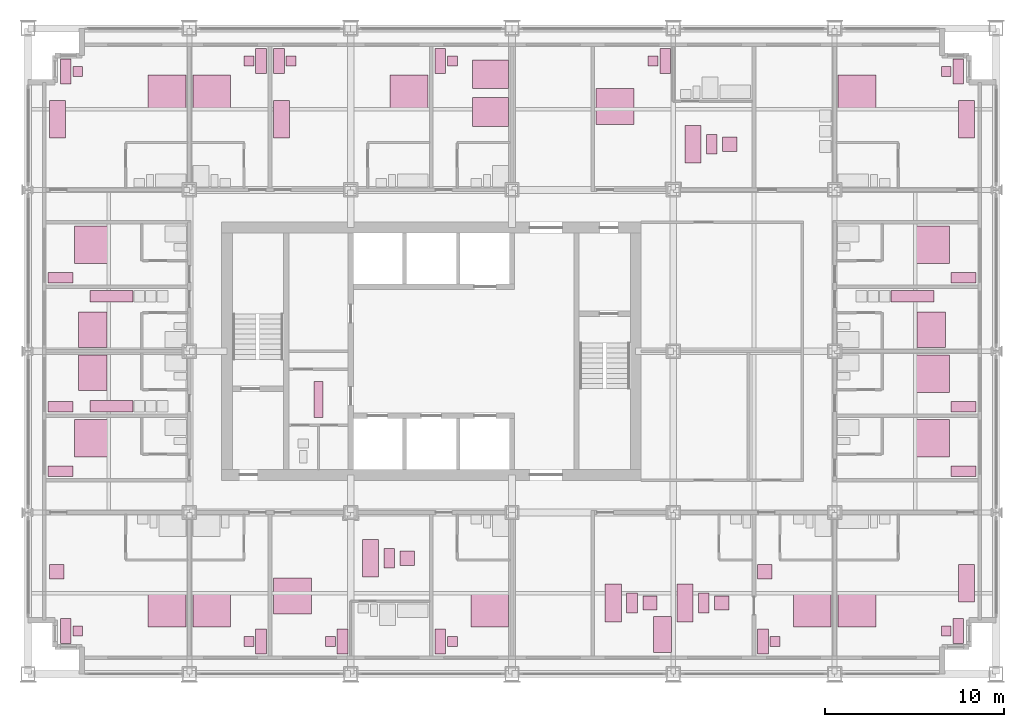
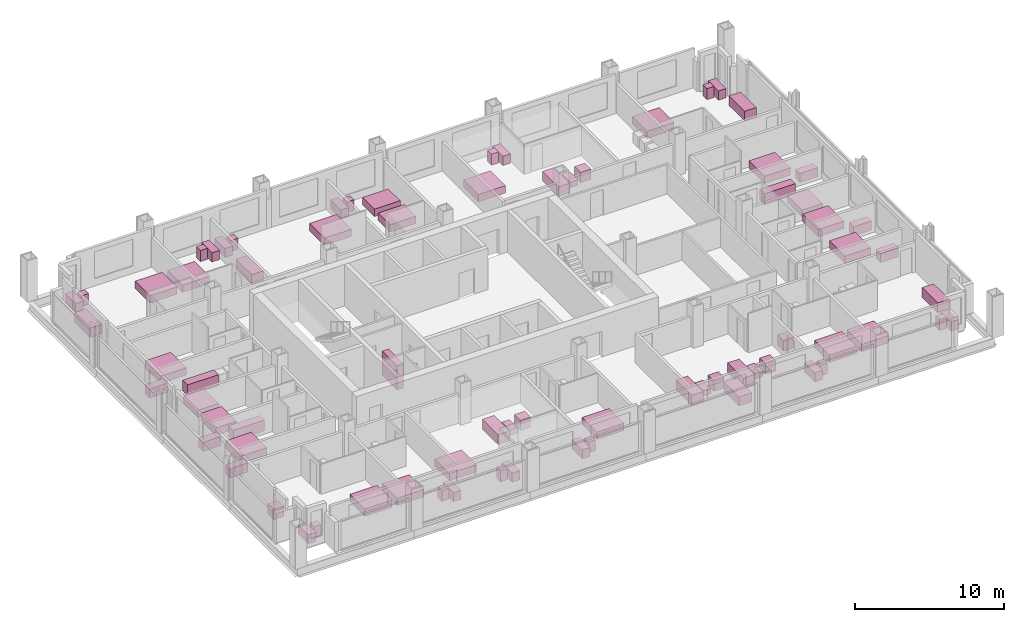
# One storey, part 18 of 18: 74 furniture elements.
"""IFC4 building model written with IfcOpenShell, lengths in metres."""

import ifcopenshell
import ifcopenshell.guid

model = None  # the IFC model being written
_history = None  # IfcOwnerHistory: only IFC2X3 demands one
_inside = {}  # id of a spatial element -> (the spatial element, [elements in it])
_under = {}  # id of a project, library or spatial element -> (it, [spatial elements below it])
_declared = {}  # id of a project -> (the project, [libraries it declares])
_typed = {}  # id of a type object -> (the type object, [elements of that type])
_made_of = {}  # id of a material, layer set ... -> (it, [elements and type objects made of it])


def new_model(schema):
    """Start an empty IFC model of exactly this schema.

    Asked for "IFC4X3", IfcOpenShell would pick the latest addendum, in which some entities
    have other attributes; the version numbers below select the first issue.
    IFC2X3 requires an IfcOwnerHistory on every rooted entity: one is made here for all.
    """
    global model, _history
    if schema == "IFC4X3":
        model = ifcopenshell.file(schema_version=(4, 3, 0, 0))
    else:
        model = ifcopenshell.file(schema=schema)
    _inside.clear()
    _under.clear()
    _declared.clear()
    _typed.clear()
    _made_of.clear()
    _history = None
    if model.schema == "IFC2X3":
        org = make("IfcOrganization", Name="unknown")
        user = make(
            "IfcPersonAndOrganization",
            ThePerson=make("IfcPerson", FamilyName="unknown"),
            TheOrganization=org,
        )
        app = make(
            "IfcApplication",
            ApplicationDeveloper=org,
            Version="unknown",
            ApplicationFullName="unknown",
            ApplicationIdentifier="unknown",
        )
        _history = make(
            "IfcOwnerHistory",
            OwningUser=user,
            OwningApplication=app,
            ChangeAction="ADDED",
            CreationDate=0,
        )
    return model


def make(cls, **values):
    """One entity of the class cls with the attributes given. An attribute that is None is left unset."""
    return model.create_entity(
        cls, **{name: value for name, value in values.items() if value is not None}
    )


def rooted(cls, **values):
    """An entity with a GlobalId (a new one), such as an element, a storey or a relation."""
    return make(cls, GlobalId=ifcopenshell.guid.new(), OwnerHistory=_history, **values)


def si_unit(unit_type, name, prefix=None):
    """IfcSIUnit, for example si_unit("LENGTHUNIT", "METRE", prefix="MILLI")."""
    return make("IfcSIUnit", UnitType=unit_type, Prefix=prefix, Name=name)


def assignment(units):
    """IfcUnitAssignment: the units of a project."""
    return None if units is None else make("IfcUnitAssignment", Units=units)


def point(xyz):
    """IfcCartesianPoint."""
    return None if xyz is None else make("IfcCartesianPoint", Coordinates=xyz)


def direction(xyz):
    """IfcDirection."""
    return None if xyz is None else make("IfcDirection", DirectionRatios=xyz)


def frame(location, z_axis=None, x_axis=None):
    """IfcAxis2Placement3D, a coordinate frame: its origin and axes. An axis left out is left unset."""
    return make(
        "IfcAxis2Placement3D",
        Location=point(location),
        Axis=direction(z_axis),
        RefDirection=direction(x_axis),
    )


def frame_2d(location, x_axis=None):
    """IfcAxis2Placement2D, a coordinate frame in the plane: its origin and x axis."""
    return make(
        "IfcAxis2Placement2D", Location=point(location), RefDirection=direction(x_axis)
    )


def origin():
    """The frame at (0, 0, 0) with its axes left unset."""
    return frame((0.0, 0.0, 0.0))


def origin_2d():
    """The frame at (0, 0) in the plane with its x axis left unset."""
    return frame_2d((0.0, 0.0))


def place(relative_to, where):
    """IfcLocalPlacement: puts the frame where relative to a parent placement (None: the world)."""
    return make(
        "IfcLocalPlacement", PlacementRelTo=relative_to, RelativePlacement=where
    )


def context(
    kind, dimensions, precision=None, world=None, true_north=None, identifier=None
):
    """IfcGeometricRepresentationContext, for example the 3D "Model" context."""
    return make(
        "IfcGeometricRepresentationContext",
        ContextIdentifier=identifier,
        ContextType=kind,
        CoordinateSpaceDimension=dimensions,
        Precision=precision,
        WorldCoordinateSystem=world,
        TrueNorth=true_north,
    )


def subcontext(parent, identifier, kind, view, scale=None):
    """IfcGeometricRepresentationSubContext, for example "Body" below "Model"."""
    return make(
        "IfcGeometricRepresentationSubContext",
        ContextIdentifier=identifier,
        ContextType=kind,
        ParentContext=parent,
        TargetScale=scale,
        TargetView=view,
    )


def project(units=None, contexts=None):
    """IfcProject with its units and contexts."""
    return rooted(
        "IfcProject",
        Name="project",
        RepresentationContexts=contexts,
        UnitsInContext=assignment(units),
    )


def spatial(cls, under=None, at=None, **own):
    """A site, building, storey or space (cls), placed at a placement, below another one or the project."""
    s = rooted(cls, ObjectPlacement=at, **own)
    if under is not None:
        _under.setdefault(under.id(), (under, []))[1].append(s)
    return s


def profile(cls, at=None, kind="AREA", **sizes):
    """A parametric profile (cls). Its sizes go by their IFC names, for example OverallWidth=200.0."""
    return make(cls, ProfileType=kind, Position=at, **sizes)


def rectangle(**sizes):
    """IfcRectangleProfileDef."""
    return profile("IfcRectangleProfileDef", **sizes)


def extrude(swept, where, along, depth):
    """IfcExtrudedAreaSolid: the profile swept, set in the frame where, extruded along a direction by depth."""
    return make(
        "IfcExtrudedAreaSolid",
        SweptArea=swept,
        Position=where,
        ExtrudedDirection=direction(along),
        Depth=depth,
    )


def shape(context_of_items, identifier, shape_type, items):
    """IfcShapeRepresentation: the items that make up one representation, for example the "Body"."""
    return make(
        "IfcShapeRepresentation",
        ContextOfItems=context_of_items,
        RepresentationIdentifier=identifier,
        RepresentationType=shape_type,
        Items=items,
    )


def made_of(thing, what):
    """Note that an element or type object is made of a material, layer set ...; save() writes the relation."""
    if what is not None:
        _made_of.setdefault(what.id(), (what, []))[1].append(thing)
    return thing


def element(
    cls,
    number,
    at=None,
    inside=None,
    cuts=None,
    type_object=None,
    material=None,
    context=None,
    identifier="Body",
    shape_type=None,
    held_by="IfcProductDefinitionShape",
    body=None,
    shapes=None,
    **own,
):
    """One element of the class cls, such as IfcWall. Its Tag is "e" and its number.

    at: its placement. inside: the storey or other place that contains it. cuts: it is an
    opening in that element (IfcRelVoidsElement). A single representation is given by context,
    identifier, shape_type and body (its items); several are given by shapes. held_by: the class
    of the entity that holds the representations. save() writes the other relations.
    """
    e = rooted(cls, Tag="e%d" % number, ObjectPlacement=at, **own)
    if body is not None:
        shapes = [shape(context, identifier, shape_type, body)]
    if shapes is not None:
        e.Representation = make(held_by, Representations=shapes)
    if inside is not None:
        _inside.setdefault(inside.id(), (inside, []))[1].append(e)
    if cuts is not None:
        rooted(
            "IfcRelVoidsElement", RelatingBuildingElement=cuts, RelatedOpeningElement=e
        )
    if type_object is not None:
        _typed.setdefault(type_object.id(), (type_object, []))[1].append(e)
    return made_of(e, material)


def aggregate(whole, parts):
    """IfcRelAggregates: a whole, such as a stair, and the parts it consists of."""
    return rooted("IfcRelAggregates", RelatingObject=whole, RelatedObjects=parts)


def save(model, path):
    """Write the relations noted so far, then the file.

    IfcRelAggregates (storeys below a building ...), IfcRelContainedInSpatialStructure (elements
    in a storey), IfcRelDefinesByType, IfcRelAssociatesMaterial and IfcRelDeclares: one each for
    every whole, place, type object, material and project.
    """
    for whole, parts in _under.values():
        aggregate(whole, parts)
    for where, things in _inside.values():
        rooted(
            "IfcRelContainedInSpatialStructure",
            RelatedElements=things,
            RelatingStructure=where,
        )
    for kind, things in _typed.values():
        rooted("IfcRelDefinesByType", RelatedObjects=things, RelatingType=kind)
    for what, things in _made_of.values():
        rooted("IfcRelAssociatesMaterial", RelatedObjects=things, RelatingMaterial=what)
    for by, libraries in _declared.values():
        rooted("IfcRelDeclares", RelatingContext=by, RelatedDefinitions=libraries)
    model.write(path)


model = new_model("IFC4")

# Units and contexts
model_context = context("Model", 3, precision=1e-05, world=origin(), true_north=direction((0.0, 1.0)))
body_context = subcontext(model_context, "Body", "Model", "MODEL_VIEW")
ifc_project = project(units=[si_unit("LENGTHUNIT", "METRE"), si_unit("AREAUNIT", "SQUARE_METRE"), si_unit("VOLUMEUNIT", "CUBIC_METRE"), si_unit("PLANEANGLEUNIT", "RADIAN"), si_unit("MASSUNIT", "GRAM", prefix="KILO")], contexts=[model_context])

# Site, building, storey
site_placement = place(None, origin())
site = spatial("IfcSite", under=ifc_project, at=site_placement, CompositionType="ELEMENT")
building_placement = place(site_placement, origin())
building = spatial("IfcBuilding", under=site, at=building_placement, Name="Loomwork Tower", CompositionType="ELEMENT")
storey_placement = place(building_placement, frame((0.0, 0.0, 58.60009765625)))
storey = spatial("IfcBuildingStorey", under=building, at=storey_placement, Name="L14", CompositionType="ELEMENT", Elevation=58.60009765625)

# Furniture
furniture_1_placement = place(storey_placement, frame((7.75, 3.60009765625, -0.000244140625), z_axis=(0.0, 0.0, 1.0), x_axis=(1.0, 0.0, 0.0)))
element("IfcFurniture", 1, at=furniture_1_placement, inside=storey, Name="King bed L14", PredefinedType="BED", context=body_context, shape_type="SweptSolid", body=[
    extrude(rectangle(XDim=2.10009765625, YDim=2.0, at=origin_2d()), origin(), (0.0, 0.0, 1.0), 0.60009765625),
])
furniture_2_placement = place(storey_placement, frame((2.10009765625, 2.39990234375, 0.0), z_axis=(0.0, 0.0, 1.0), x_axis=(1.0, 0.0, 0.0)))
element("IfcFurniture", 2, at=furniture_2_placement, inside=storey, Name="Writing desk L14", PredefinedType="DESK", context=body_context, shape_type="SweptSolid", body=[
    extrude(rectangle(XDim=0.60009765625, YDim=1.39990234375, at=origin_2d()), origin(), (0.0, 0.0, 1.0), 0.75),
])
furniture_3_placement = place(storey_placement, frame((2.77490234375, 2.39990234375, 0.0), z_axis=(0.0, 0.0, 1.0), x_axis=(1.0, 0.0, 0.0)))
element("IfcFurniture", 3, at=furniture_3_placement, inside=storey, Name="Desk chair L14", PredefinedType="CHAIR", context=body_context, shape_type="SweptSolid", body=[
    extrude(rectangle(XDim=0.550048828125, YDim=0.550048828125, at=origin_2d()), origin(), (0.0, 0.0, 1.0), 0.89990234375),
])
furniture_4_placement = place(storey_placement, frame((1.60009765625, 5.699951171875, -0.000244140625), z_axis=(0.0, 0.0, 1.0), x_axis=(1.0, 0.0, 0.0)))
element("IfcFurniture", 4, at=furniture_4_placement, inside=storey, Name="Lounge armchair L14", PredefinedType="CHAIR", context=body_context, shape_type="SweptSolid", body=[
    extrude(rectangle(XDim=0.800048828125, YDim=0.800048828125, at=origin_2d()), origin(), (0.0, 0.0, 1.0), 0.85009765625),
])
furniture_5_placement = place(storey_placement, frame((10.25, 3.60009765625, -0.000244140625), z_axis=(0.0, 0.0, 1.0), x_axis=(1.0, 0.0, 0.0)))
element("IfcFurniture", 5, at=furniture_5_placement, inside=storey, Name="King bed L14", PredefinedType="BED", context=body_context, shape_type="SweptSolid", body=[
    extrude(rectangle(XDim=2.10009765625, YDim=2.0, at=origin_2d()), origin(), (0.0, 0.0, 1.0), 0.60009765625),
])
furniture_6_placement = place(storey_placement, frame((13.0, 1.800048828125, 0.0), z_axis=(0.0, 0.0, 1.0), x_axis=(1.0, 0.0, 0.0)))
element("IfcFurniture", 6, at=furniture_6_placement, inside=storey, Name="Writing desk L14", PredefinedType="DESK", context=body_context, shape_type="SweptSolid", body=[
    extrude(rectangle(XDim=0.60009765625, YDim=1.39990234375, at=origin_2d()), origin(), (0.0, 0.0, 1.0), 0.75),
])
furniture_7_placement = place(storey_placement, frame((12.324951171875, 1.800048828125, 0.0), z_axis=(0.0, 0.0, 1.0), x_axis=(1.0, 0.0, 0.0)))
element("IfcFurniture", 7, at=furniture_7_placement, inside=storey, Name="Desk chair L14", PredefinedType="CHAIR", context=body_context, shape_type="SweptSolid", body=[
    extrude(rectangle(XDim=0.550048828125, YDim=0.550048828125, at=origin_2d()), origin(), (0.0, 0.0, 1.0), 0.89990234375),
])
furniture_8_placement = place(storey_placement, frame((14.75, 4.35009765625, -0.000244140625), z_axis=(0.0, 0.0, 1.0), x_axis=(1.0, 0.0, 0.0)))
element("IfcFurniture", 8, at=furniture_8_placement, inside=storey, Name="King bed L14", PredefinedType="BED", context=body_context, shape_type="SweptSolid", body=[
    extrude(rectangle(XDim=2.10009765625, YDim=2.0, at=origin_2d()), origin(), (0.0, 0.0, 1.0), 0.60009765625),
])
furniture_9_placement = place(storey_placement, frame((17.550048828125, 1.800048828125, 0.0), z_axis=(0.0, 0.0, 1.0), x_axis=(1.0, 0.0, 0.0)))
element("IfcFurniture", 9, at=furniture_9_placement, inside=storey, Name="Writing desk L14", PredefinedType="DESK", context=body_context, shape_type="SweptSolid", body=[
    extrude(rectangle(XDim=0.60009765625, YDim=1.39990234375, at=origin_2d()), origin(), (0.0, 0.0, 1.0), 0.75),
])
furniture_10_placement = place(storey_placement, frame((16.875, 1.800048828125, 0.0), z_axis=(0.0, 0.0, 1.0), x_axis=(1.0, 0.0, 0.0)))
element("IfcFurniture", 10, at=furniture_10_placement, inside=storey, Name="Desk chair L14", PredefinedType="CHAIR", context=body_context, shape_type="SweptSolid", body=[
    extrude(rectangle(XDim=0.550048828125, YDim=0.550048828125, at=origin_2d()), origin(), (0.0, 0.0, 1.0), 0.89990234375),
])
furniture_11_placement = place(storey_placement, frame((19.10009765625, 6.449951171875, 0.0), z_axis=(0.0, 0.0, 1.0), x_axis=(1.0, 0.0, 0.0)))
element("IfcFurniture", 11, at=furniture_11_placement, inside=storey, Name="Sofa L14", PredefinedType="SOFA", context=body_context, shape_type="SweptSolid", body=[
    extrude(rectangle(XDim=0.89990234375, YDim=2.10009765625, at=origin_2d()), origin(), (0.0, 0.0, 1.0), 0.800048828125),
])
furniture_12_placement = place(storey_placement, frame((20.14990234375, 6.449951171875, 0.0), z_axis=(0.0, 0.0, 1.0), x_axis=(1.0, 0.0, 0.0)))
element("IfcFurniture", 12, at=furniture_12_placement, inside=storey, Name="Coffee table L14", PredefinedType="TABLE", context=body_context, shape_type="SweptSolid", body=[
    extrude(rectangle(XDim=0.60009765625, YDim=1.10009765625, at=origin_2d()), origin(), (0.0, 0.0, 1.0), 0.449951171875),
])
furniture_13_placement = place(storey_placement, frame((21.14990234375, 6.449951171875, -0.000244140625), z_axis=(0.0, 0.0, 1.0), x_axis=(1.0, 0.0, 0.0)))
element("IfcFurniture", 13, at=furniture_13_placement, inside=storey, Name="Lounge armchair L14", PredefinedType="CHAIR", context=body_context, shape_type="SweptSolid", body=[
    extrude(rectangle(XDim=0.800048828125, YDim=0.800048828125, at=origin_2d()), origin(), (0.0, 0.0, 1.0), 0.85009765625),
])
furniture_14_placement = place(storey_placement, frame((25.75, 3.60009765625, -0.000244140625), z_axis=(0.0, 0.0, 1.0), x_axis=(1.0, 0.0, 0.0)))
element("IfcFurniture", 14, at=furniture_14_placement, inside=storey, Name="King bed L14", PredefinedType="BED", context=body_context, shape_type="SweptSolid", body=[
    extrude(rectangle(XDim=2.10009765625, YDim=2.0, at=origin_2d()), origin(), (0.0, 0.0, 1.0), 0.60009765625),
])
furniture_15_placement = place(storey_placement, frame((23.0, 1.800048828125, 0.0), z_axis=(0.0, 0.0, 1.0), x_axis=(1.0, 0.0, 0.0)))
element("IfcFurniture", 15, at=furniture_15_placement, inside=storey, Name="Writing desk L14", PredefinedType="DESK", context=body_context, shape_type="SweptSolid", body=[
    extrude(rectangle(XDim=0.60009765625, YDim=1.39990234375, at=origin_2d()), origin(), (0.0, 0.0, 1.0), 0.75),
])
furniture_16_placement = place(storey_placement, frame((23.675048828125, 1.800048828125, 0.0), z_axis=(0.0, 0.0, 1.0), x_axis=(1.0, 0.0, 0.0)))
element("IfcFurniture", 16, at=furniture_16_placement, inside=storey, Name="Desk chair L14", PredefinedType="CHAIR", context=body_context, shape_type="SweptSolid", body=[
    extrude(rectangle(XDim=0.550048828125, YDim=0.550048828125, at=origin_2d()), origin(), (0.0, 0.0, 1.0), 0.89990234375),
])
furniture_17_placement = place(storey_placement, frame((32.64990234375, 3.949951171875, 0.0), z_axis=(0.0, 0.0, 1.0), x_axis=(1.0, 0.0, 0.0)))
element("IfcFurniture", 17, at=furniture_17_placement, inside=storey, Name="Sofa L14", PredefinedType="SOFA", context=body_context, shape_type="SweptSolid", body=[
    extrude(rectangle(XDim=0.89990234375, YDim=2.10009765625, at=origin_2d()), origin(), (0.0, 0.0, 1.0), 0.800048828125),
])
furniture_18_placement = place(storey_placement, frame((33.699951171875, 3.949951171875, 0.0), z_axis=(0.0, 0.0, 1.0), x_axis=(1.0, 0.0, 0.0)))
element("IfcFurniture", 18, at=furniture_18_placement, inside=storey, Name="Coffee table L14", PredefinedType="TABLE", context=body_context, shape_type="SweptSolid", body=[
    extrude(rectangle(XDim=0.60009765625, YDim=1.10009765625, at=origin_2d()), origin(), (0.0, 0.0, 1.0), 0.449951171875),
])
furniture_19_placement = place(storey_placement, frame((34.699951171875, 3.949951171875, -0.000244140625), z_axis=(0.0, 0.0, 1.0), x_axis=(1.0, 0.0, 0.0)))
element("IfcFurniture", 19, at=furniture_19_placement, inside=storey, Name="Lounge armchair L14", PredefinedType="CHAIR", context=body_context, shape_type="SweptSolid", body=[
    extrude(rectangle(XDim=0.800048828125, YDim=0.800048828125, at=origin_2d()), origin(), (0.0, 0.0, 1.0), 0.85009765625),
])
furniture_20_placement = place(storey_placement, frame((36.64990234375, 3.949951171875, 0.0), z_axis=(0.0, 0.0, 1.0), x_axis=(1.0, 0.0, 0.0)))
element("IfcFurniture", 20, at=furniture_20_placement, inside=storey, Name="Sofa L14", PredefinedType="SOFA", context=body_context, shape_type="SweptSolid", body=[
    extrude(rectangle(XDim=0.89990234375, YDim=2.10009765625, at=origin_2d()), origin(), (0.0, 0.0, 1.0), 0.800048828125),
])
furniture_21_placement = place(storey_placement, frame((37.699951171875, 3.949951171875, 0.0), z_axis=(0.0, 0.0, 1.0), x_axis=(1.0, 0.0, 0.0)))
element("IfcFurniture", 21, at=furniture_21_placement, inside=storey, Name="Coffee table L14", PredefinedType="TABLE", context=body_context, shape_type="SweptSolid", body=[
    extrude(rectangle(XDim=0.60009765625, YDim=1.10009765625, at=origin_2d()), origin(), (0.0, 0.0, 1.0), 0.449951171875),
])
furniture_22_placement = place(storey_placement, frame((38.699951171875, 3.949951171875, -0.000244140625), z_axis=(0.0, 0.0, 1.0), x_axis=(1.0, 0.0, 0.0)))
element("IfcFurniture", 22, at=furniture_22_placement, inside=storey, Name="Lounge armchair L14", PredefinedType="CHAIR", context=body_context, shape_type="SweptSolid", body=[
    extrude(rectangle(XDim=0.800048828125, YDim=0.800048828125, at=origin_2d()), origin(), (0.0, 0.0, 1.0), 0.85009765625),
])
furniture_23_placement = place(storey_placement, frame((35.39990234375, 2.199951171875, 0.0), z_axis=(0.0, 0.0, 1.0), x_axis=(1.0, 0.0, 0.0)))
element("IfcFurniture", 23, at=furniture_23_placement, inside=storey, Name="Dining table L14", PredefinedType="TABLE", context=body_context, shape_type="SweptSolid", body=[
    extrude(rectangle(XDim=1.0, YDim=2.0, at=origin_2d()), origin(), (0.0, 0.0, 1.0), 0.75),
])
furniture_24_placement = place(storey_placement, frame((43.75, 3.60009765625, -0.000244140625), z_axis=(0.0, 0.0, 1.0), x_axis=(1.0, 0.0, 0.0)))
element("IfcFurniture", 24, at=furniture_24_placement, inside=storey, Name="King bed L14", PredefinedType="BED", context=body_context, shape_type="SweptSolid", body=[
    extrude(rectangle(XDim=2.10009765625, YDim=2.0, at=origin_2d()), origin(), (0.0, 0.0, 1.0), 0.60009765625),
])
furniture_25_placement = place(storey_placement, frame((41.0, 1.800048828125, 0.0), z_axis=(0.0, 0.0, 1.0), x_axis=(1.0, 0.0, 0.0)))
element("IfcFurniture", 25, at=furniture_25_placement, inside=storey, Name="Writing desk L14", PredefinedType="DESK", context=body_context, shape_type="SweptSolid", body=[
    extrude(rectangle(XDim=0.60009765625, YDim=1.39990234375, at=origin_2d()), origin(), (0.0, 0.0, 1.0), 0.75),
])
furniture_26_placement = place(storey_placement, frame((41.675048828125, 1.800048828125, 0.0), z_axis=(0.0, 0.0, 1.0), x_axis=(1.0, 0.0, 0.0)))
element("IfcFurniture", 26, at=furniture_26_placement, inside=storey, Name="Desk chair L14", PredefinedType="CHAIR", context=body_context, shape_type="SweptSolid", body=[
    extrude(rectangle(XDim=0.550048828125, YDim=0.550048828125, at=origin_2d()), origin(), (0.0, 0.0, 1.0), 0.89990234375),
])
furniture_27_placement = place(storey_placement, frame((41.10009765625, 5.699951171875, -0.000244140625), z_axis=(0.0, 0.0, 1.0), x_axis=(1.0, 0.0, 0.0)))
element("IfcFurniture", 27, at=furniture_27_placement, inside=storey, Name="Lounge armchair L14", PredefinedType="CHAIR", context=body_context, shape_type="SweptSolid", body=[
    extrude(rectangle(XDim=0.800048828125, YDim=0.800048828125, at=origin_2d()), origin(), (0.0, 0.0, 1.0), 0.85009765625),
])
furniture_28_placement = place(storey_placement, frame((46.25, 3.60009765625, -0.000244140625), z_axis=(0.0, 0.0, 1.0), x_axis=(1.0, 0.0, 0.0)))
element("IfcFurniture", 28, at=furniture_28_placement, inside=storey, Name="King bed L14", PredefinedType="BED", context=body_context, shape_type="SweptSolid", body=[
    extrude(rectangle(XDim=2.10009765625, YDim=2.0, at=origin_2d()), origin(), (0.0, 0.0, 1.0), 0.60009765625),
])
furniture_29_placement = place(storey_placement, frame((51.89990234375, 2.39990234375, 0.0), z_axis=(0.0, 0.0, 1.0), x_axis=(1.0, 0.0, 0.0)))
element("IfcFurniture", 29, at=furniture_29_placement, inside=storey, Name="Writing desk L14", PredefinedType="DESK", context=body_context, shape_type="SweptSolid", body=[
    extrude(rectangle(XDim=0.60009765625, YDim=1.39990234375, at=origin_2d()), origin(), (0.0, 0.0, 1.0), 0.75),
])
furniture_30_placement = place(storey_placement, frame((51.22509765625, 2.39990234375, 0.0), z_axis=(0.0, 0.0, 1.0), x_axis=(1.0, 0.0, 0.0)))
element("IfcFurniture", 30, at=furniture_30_placement, inside=storey, Name="Desk chair L14", PredefinedType="CHAIR", context=body_context, shape_type="SweptSolid", body=[
    extrude(rectangle(XDim=0.550048828125, YDim=0.550048828125, at=origin_2d()), origin(), (0.0, 0.0, 1.0), 0.89990234375),
])
furniture_31_placement = place(storey_placement, frame((52.35009765625, 5.050048828125, 0.0), z_axis=(0.0, 0.0, 1.0), x_axis=(1.0, 0.0, 0.0)))
element("IfcFurniture", 31, at=furniture_31_placement, inside=storey, Name="Sofa L14", PredefinedType="SOFA", context=body_context, shape_type="SweptSolid", body=[
    extrude(rectangle(XDim=0.89990234375, YDim=2.10009765625, at=origin_2d()), origin(), (0.0, 0.0, 1.0), 0.800048828125),
])
furniture_32_placement = place(storey_placement, frame((7.75, 32.39990234375, -0.000244140625), z_axis=(0.0, 0.0, 1.0), x_axis=(1.0, 0.0, 0.0)))
element("IfcFurniture", 32, at=furniture_32_placement, inside=storey, Name="King bed L14", PredefinedType="BED", context=body_context, shape_type="SweptSolid", body=[
    extrude(rectangle(XDim=2.10009765625, YDim=2.0, at=origin_2d()), origin(), (0.0, 0.0, 1.0), 0.60009765625),
])
furniture_33_placement = place(storey_placement, frame((2.10009765625, 33.60009765625, 0.0), z_axis=(0.0, 0.0, 1.0), x_axis=(1.0, 0.0, 0.0)))
element("IfcFurniture", 33, at=furniture_33_placement, inside=storey, Name="Writing desk L14", PredefinedType="DESK", context=body_context, shape_type="SweptSolid", body=[
    extrude(rectangle(XDim=0.60009765625, YDim=1.39990234375, at=origin_2d()), origin(), (0.0, 0.0, 1.0), 0.75),
])
furniture_34_placement = place(storey_placement, frame((2.77490234375, 33.60009765625, 0.0), z_axis=(0.0, 0.0, 1.0), x_axis=(1.0, 0.0, 0.0)))
element("IfcFurniture", 34, at=furniture_34_placement, inside=storey, Name="Desk chair L14", PredefinedType="CHAIR", context=body_context, shape_type="SweptSolid", body=[
    extrude(rectangle(XDim=0.550048828125, YDim=0.550048828125, at=origin_2d()), origin(), (0.0, 0.0, 1.0), 0.89990234375),
])
furniture_35_placement = place(storey_placement, frame((1.64990234375, 30.949951171875, 0.0), z_axis=(0.0, 0.0, 1.0), x_axis=(1.0, 0.0, 0.0)))
element("IfcFurniture", 35, at=furniture_35_placement, inside=storey, Name="Sofa L14", PredefinedType="SOFA", context=body_context, shape_type="SweptSolid", body=[
    extrude(rectangle(XDim=0.89990234375, YDim=2.10009765625, at=origin_2d()), origin(), (0.0, 0.0, 1.0), 0.800048828125),
])
furniture_36_placement = place(storey_placement, frame((10.25, 32.39990234375, -0.000244140625), z_axis=(0.0, 0.0, 1.0), x_axis=(1.0, 0.0, 0.0)))
element("IfcFurniture", 36, at=furniture_36_placement, inside=storey, Name="King bed L14", PredefinedType="BED", context=body_context, shape_type="SweptSolid", body=[
    extrude(rectangle(XDim=2.10009765625, YDim=2.0, at=origin_2d()), origin(), (0.0, 0.0, 1.0), 0.60009765625),
])
furniture_37_placement = place(storey_placement, frame((13.0, 34.199951171875, 0.0), z_axis=(0.0, 0.0, 1.0), x_axis=(1.0, 0.0, 0.0)))
element("IfcFurniture", 37, at=furniture_37_placement, inside=storey, Name="Writing desk L14", PredefinedType="DESK", context=body_context, shape_type="SweptSolid", body=[
    extrude(rectangle(XDim=0.60009765625, YDim=1.39990234375, at=origin_2d()), origin(), (0.0, 0.0, 1.0), 0.75),
])
furniture_38_placement = place(storey_placement, frame((12.324951171875, 34.199951171875, 0.0), z_axis=(0.0, 0.0, 1.0), x_axis=(1.0, 0.0, 0.0)))
element("IfcFurniture", 38, at=furniture_38_placement, inside=storey, Name="Desk chair L14", PredefinedType="CHAIR", context=body_context, shape_type="SweptSolid", body=[
    extrude(rectangle(XDim=0.550048828125, YDim=0.550048828125, at=origin_2d()), origin(), (0.0, 0.0, 1.0), 0.89990234375),
])
furniture_39_placement = place(storey_placement, frame((21.25, 32.39990234375, -0.000244140625), z_axis=(0.0, 0.0, 1.0), x_axis=(1.0, 0.0, 0.0)))
element("IfcFurniture", 39, at=furniture_39_placement, inside=storey, Name="King bed L14", PredefinedType="BED", context=body_context, shape_type="SweptSolid", body=[
    extrude(rectangle(XDim=2.10009765625, YDim=2.0, at=origin_2d()), origin(), (0.0, 0.0, 1.0), 0.60009765625),
])
furniture_40_placement = place(storey_placement, frame((14.0, 34.199951171875, 0.0), z_axis=(0.0, 0.0, 1.0), x_axis=(1.0, 0.0, 0.0)))
element("IfcFurniture", 40, at=furniture_40_placement, inside=storey, Name="Writing desk L14", PredefinedType="DESK", context=body_context, shape_type="SweptSolid", body=[
    extrude(rectangle(XDim=0.60009765625, YDim=1.39990234375, at=origin_2d()), origin(), (0.0, 0.0, 1.0), 0.75),
])
furniture_41_placement = place(storey_placement, frame((14.675048828125, 34.199951171875, 0.0), z_axis=(0.0, 0.0, 1.0), x_axis=(1.0, 0.0, 0.0)))
element("IfcFurniture", 41, at=furniture_41_placement, inside=storey, Name="Desk chair L14", PredefinedType="CHAIR", context=body_context, shape_type="SweptSolid", body=[
    extrude(rectangle(XDim=0.550048828125, YDim=0.550048828125, at=origin_2d()), origin(), (0.0, 0.0, 1.0), 0.89990234375),
])
furniture_42_placement = place(storey_placement, frame((14.14990234375, 30.949951171875, 0.0), z_axis=(0.0, 0.0, 1.0), x_axis=(1.0, 0.0, 0.0)))
element("IfcFurniture", 42, at=furniture_42_placement, inside=storey, Name="Sofa L14", PredefinedType="SOFA", context=body_context, shape_type="SweptSolid", body=[
    extrude(rectangle(XDim=0.89990234375, YDim=2.10009765625, at=origin_2d()), origin(), (0.0, 0.0, 1.0), 0.800048828125),
])
for number, where, z_axis, x_axis, name in (
    (43, (25.800048828125, 31.35009765625, -0.000244140625), (0.0, 0.0, 1.0), (1.0, 0.0, 0.0), "Queen bed L14"),
    (44, (25.800048828125, 33.449951171875, -0.000244140625), (0.0, 0.0, 1.0), (1.0, 0.0, 0.0), "Queen bed L14"),
):
    element("IfcFurniture", number, at=place(storey_placement, frame(where, z_axis=z_axis, x_axis=x_axis)), inside=storey, Name=name, PredefinedType="BED", context=body_context, shape_type="SweptSolid", body=[
        extrude(rectangle(XDim=2.0, YDim=1.60009765625, at=origin_2d()), origin(), (0.0, 0.0, 1.0), 0.60009765625),
    ])
furniture_43_placement = place(storey_placement, frame((23.0, 34.199951171875, 0.0), z_axis=(0.0, 0.0, 1.0), x_axis=(1.0, 0.0, 0.0)))
element("IfcFurniture", 45, at=furniture_43_placement, inside=storey, Name="Writing desk L14", PredefinedType="DESK", context=body_context, shape_type="SweptSolid", body=[
    extrude(rectangle(XDim=0.60009765625, YDim=1.39990234375, at=origin_2d()), origin(), (0.0, 0.0, 1.0), 0.75),
])
furniture_44_placement = place(storey_placement, frame((23.675048828125, 34.199951171875, 0.0), z_axis=(0.0, 0.0, 1.0), x_axis=(1.0, 0.0, 0.0)))
element("IfcFurniture", 46, at=furniture_44_placement, inside=storey, Name="Desk chair L14", PredefinedType="CHAIR", context=body_context, shape_type="SweptSolid", body=[
    extrude(rectangle(XDim=0.550048828125, YDim=0.550048828125, at=origin_2d()), origin(), (0.0, 0.0, 1.0), 0.89990234375),
])
furniture_45_placement = place(storey_placement, frame((32.75, 31.64990234375, -0.000244140625), z_axis=(0.0, 0.0, 1.0), x_axis=(1.0, 0.0, 0.0)))
element("IfcFurniture", 47, at=furniture_45_placement, inside=storey, Name="King bed L14", PredefinedType="BED", context=body_context, shape_type="SweptSolid", body=[
    extrude(rectangle(XDim=2.10009765625, YDim=2.0, at=origin_2d()), origin(), (0.0, 0.0, 1.0), 0.60009765625),
])
furniture_46_placement = place(storey_placement, frame((35.550048828125, 34.199951171875, 0.0), z_axis=(0.0, 0.0, 1.0), x_axis=(1.0, 0.0, 0.0)))
element("IfcFurniture", 48, at=furniture_46_placement, inside=storey, Name="Writing desk L14", PredefinedType="DESK", context=body_context, shape_type="SweptSolid", body=[
    extrude(rectangle(XDim=0.60009765625, YDim=1.39990234375, at=origin_2d()), origin(), (0.0, 0.0, 1.0), 0.75),
])
furniture_47_placement = place(storey_placement, frame((34.875, 34.199951171875, 0.0), z_axis=(0.0, 0.0, 1.0), x_axis=(1.0, 0.0, 0.0)))
element("IfcFurniture", 49, at=furniture_47_placement, inside=storey, Name="Desk chair L14", PredefinedType="CHAIR", context=body_context, shape_type="SweptSolid", body=[
    extrude(rectangle(XDim=0.550048828125, YDim=0.550048828125, at=origin_2d()), origin(), (0.0, 0.0, 1.0), 0.89990234375),
])
furniture_48_placement = place(storey_placement, frame((37.10009765625, 29.550048828125, 0.0), z_axis=(0.0, 0.0, 1.0), x_axis=(1.0, 0.0, 0.0)))
element("IfcFurniture", 50, at=furniture_48_placement, inside=storey, Name="Sofa L14", PredefinedType="SOFA", context=body_context, shape_type="SweptSolid", body=[
    extrude(rectangle(XDim=0.89990234375, YDim=2.10009765625, at=origin_2d()), origin(), (0.0, 0.0, 1.0), 0.800048828125),
])
furniture_49_placement = place(storey_placement, frame((38.14990234375, 29.550048828125, 0.0), z_axis=(0.0, 0.0, 1.0), x_axis=(1.0, 0.0, 0.0)))
element("IfcFurniture", 51, at=furniture_49_placement, inside=storey, Name="Coffee table L14", PredefinedType="TABLE", context=body_context, shape_type="SweptSolid", body=[
    extrude(rectangle(XDim=0.60009765625, YDim=1.10009765625, at=origin_2d()), origin(), (0.0, 0.0, 1.0), 0.449951171875),
])
furniture_50_placement = place(storey_placement, frame((39.14990234375, 29.550048828125, -0.000244140625), z_axis=(0.0, 0.0, 1.0), x_axis=(1.0, 0.0, 0.0)))
element("IfcFurniture", 52, at=furniture_50_placement, inside=storey, Name="Lounge armchair L14", PredefinedType="CHAIR", context=body_context, shape_type="SweptSolid", body=[
    extrude(rectangle(XDim=0.800048828125, YDim=0.800048828125, at=origin_2d()), origin(), (0.0, 0.0, 1.0), 0.85009765625),
])
furniture_51_placement = place(storey_placement, frame((46.25, 32.39990234375, -0.000244140625), z_axis=(0.0, 0.0, 1.0), x_axis=(1.0, 0.0, 0.0)))
element("IfcFurniture", 53, at=furniture_51_placement, inside=storey, Name="King bed L14", PredefinedType="BED", context=body_context, shape_type="SweptSolid", body=[
    extrude(rectangle(XDim=2.10009765625, YDim=2.0, at=origin_2d()), origin(), (0.0, 0.0, 1.0), 0.60009765625),
])
furniture_52_placement = place(storey_placement, frame((51.89990234375, 33.60009765625, 0.0), z_axis=(0.0, 0.0, 1.0), x_axis=(1.0, 0.0, 0.0)))
element("IfcFurniture", 54, at=furniture_52_placement, inside=storey, Name="Writing desk L14", PredefinedType="DESK", context=body_context, shape_type="SweptSolid", body=[
    extrude(rectangle(XDim=0.60009765625, YDim=1.39990234375, at=origin_2d()), origin(), (0.0, 0.0, 1.0), 0.75),
])
furniture_53_placement = place(storey_placement, frame((51.22509765625, 33.60009765625, 0.0), z_axis=(0.0, 0.0, 1.0), x_axis=(1.0, 0.0, 0.0)))
element("IfcFurniture", 55, at=furniture_53_placement, inside=storey, Name="Desk chair L14", PredefinedType="CHAIR", context=body_context, shape_type="SweptSolid", body=[
    extrude(rectangle(XDim=0.550048828125, YDim=0.550048828125, at=origin_2d()), origin(), (0.0, 0.0, 1.0), 0.89990234375),
])
furniture_54_placement = place(storey_placement, frame((52.35009765625, 30.949951171875, 0.0), z_axis=(0.0, 0.0, 1.0), x_axis=(1.0, 0.0, 0.0)))
element("IfcFurniture", 56, at=furniture_54_placement, inside=storey, Name="Sofa L14", PredefinedType="SOFA", context=body_context, shape_type="SweptSolid", body=[
    extrude(rectangle(XDim=0.89990234375, YDim=2.10009765625, at=origin_2d()), origin(), (0.0, 0.0, 1.0), 0.800048828125),
])
furniture_55_placement = place(storey_placement, frame((3.60009765625, 13.14990234375, -0.000244140625), z_axis=(0.0, 0.0, 1.0), x_axis=(1.0, 0.0, 0.0)))
element("IfcFurniture", 57, at=furniture_55_placement, inside=storey, Name="King bed L14", PredefinedType="BED", context=body_context, shape_type="SweptSolid", body=[
    extrude(rectangle(XDim=2.0, YDim=2.10009765625, at=origin_2d()), origin(), (0.0, 0.0, 1.0), 0.60009765625),
])
furniture_56_placement = place(storey_placement, frame((1.800048828125, 11.300048828125, 0.0), z_axis=(0.0, 0.0, 1.0), x_axis=(1.0, 0.0, 0.0)))
element("IfcFurniture", 58, at=furniture_56_placement, inside=storey, Name="Writing desk L14", PredefinedType="DESK", context=body_context, shape_type="SweptSolid", body=[
    extrude(rectangle(XDim=1.39990234375, YDim=0.60009765625, at=origin_2d()), origin(), (0.0, 0.0, 1.0), 0.75),
])
furniture_57_placement = place(storey_placement, frame((3.60009765625, 16.800048828125, -0.000244140625), z_axis=(0.0, 0.0, 1.0), x_axis=(1.0, 0.0, 0.0)))
element("IfcFurniture", 59, at=furniture_57_placement, inside=storey, Name="Queen bed L14", PredefinedType="BED", context=body_context, shape_type="SweptSolid", body=[
    extrude(rectangle(XDim=1.60009765625, YDim=2.0, at=origin_2d()), origin(), (0.0, 0.0, 1.0), 0.60009765625),
])
furniture_58_placement = place(storey_placement, frame((1.800048828125, 14.89990234375, 0.0), z_axis=(0.0, 0.0, 1.0), x_axis=(1.0, 0.0, 0.0)))
element("IfcFurniture", 60, at=furniture_58_placement, inside=storey, Name="Writing desk L14", PredefinedType="DESK", context=body_context, shape_type="SweptSolid", body=[
    extrude(rectangle(XDim=1.39990234375, YDim=0.60009765625, at=origin_2d()), origin(), (0.0, 0.0, 1.0), 0.75),
])
furniture_59_placement = place(storey_placement, frame((4.64990234375, 14.925048828125, 0.0), z_axis=(0.0, 0.0, 1.0), x_axis=(1.0, 0.0, 0.0)))
element("IfcFurniture", 61, at=furniture_59_placement, inside=storey, Name="Kitchenette counter L14", ObjectType="KITCHENETTE", PredefinedType="USERDEFINED", context=body_context, shape_type="SweptSolid", body=[
    extrude(rectangle(XDim=2.39990234375, YDim=0.64990234375, at=origin_2d()), origin(), (0.0, 0.0, 1.0), 0.89990234375),
])
furniture_60_placement = place(storey_placement, frame((3.60009765625, 19.199951171875, -0.000244140625), z_axis=(0.0, 0.0, 1.0), x_axis=(1.0, 0.0, 0.0)))
element("IfcFurniture", 62, at=furniture_60_placement, inside=storey, Name="Queen bed L14", PredefinedType="BED", context=body_context, shape_type="SweptSolid", body=[
    extrude(rectangle(XDim=1.60009765625, YDim=2.0, at=origin_2d()), origin(), (0.0, 0.0, 1.0), 0.60009765625),
])
furniture_61_placement = place(storey_placement, frame((4.64990234375, 21.074951171875, 0.0), z_axis=(0.0, 0.0, 1.0), x_axis=(1.0, 0.0, 0.0)))
element("IfcFurniture", 63, at=furniture_61_placement, inside=storey, Name="Kitchenette counter L14", ObjectType="KITCHENETTE", PredefinedType="USERDEFINED", context=body_context, shape_type="SweptSolid", body=[
    extrude(rectangle(XDim=2.39990234375, YDim=0.64990234375, at=origin_2d()), origin(), (0.0, 0.0, 1.0), 0.89990234375),
])
furniture_62_placement = place(storey_placement, frame((3.60009765625, 23.949951171875, -0.000244140625), z_axis=(0.0, 0.0, 1.0), x_axis=(1.0, 0.0, 0.0)))
element("IfcFurniture", 64, at=furniture_62_placement, inside=storey, Name="King bed L14", PredefinedType="BED", context=body_context, shape_type="SweptSolid", body=[
    extrude(rectangle(XDim=2.0, YDim=2.10009765625, at=origin_2d()), origin(), (0.0, 0.0, 1.0), 0.60009765625),
])
furniture_63_placement = place(storey_placement, frame((1.800048828125, 22.10009765625, 0.0), z_axis=(0.0, 0.0, 1.0), x_axis=(1.0, 0.0, 0.0)))
element("IfcFurniture", 65, at=furniture_63_placement, inside=storey, Name="Writing desk L14", PredefinedType="DESK", context=body_context, shape_type="SweptSolid", body=[
    extrude(rectangle(XDim=1.39990234375, YDim=0.60009765625, at=origin_2d()), origin(), (0.0, 0.0, 1.0), 0.75),
])
furniture_64_placement = place(storey_placement, frame((50.39990234375, 13.14990234375, -0.000244140625), z_axis=(0.0, 0.0, 1.0), x_axis=(1.0, 0.0, 0.0)))
element("IfcFurniture", 66, at=furniture_64_placement, inside=storey, Name="King bed L14", PredefinedType="BED", context=body_context, shape_type="SweptSolid", body=[
    extrude(rectangle(XDim=2.0, YDim=2.10009765625, at=origin_2d()), origin(), (0.0, 0.0, 1.0), 0.60009765625),
])
furniture_65_placement = place(storey_placement, frame((52.199951171875, 11.300048828125, 0.0), z_axis=(0.0, 0.0, 1.0), x_axis=(1.0, 0.0, 0.0)))
element("IfcFurniture", 67, at=furniture_65_placement, inside=storey, Name="Writing desk L14", PredefinedType="DESK", context=body_context, shape_type="SweptSolid", body=[
    extrude(rectangle(XDim=1.39990234375, YDim=0.60009765625, at=origin_2d()), origin(), (0.0, 0.0, 1.0), 0.75),
])
furniture_66_placement = place(storey_placement, frame((50.39990234375, 16.75, -0.000244140625), z_axis=(0.0, 0.0, 1.0), x_axis=(1.0, 0.0, 0.0)))
element("IfcFurniture", 68, at=furniture_66_placement, inside=storey, Name="King bed L14", PredefinedType="BED", context=body_context, shape_type="SweptSolid", body=[
    extrude(rectangle(XDim=2.0, YDim=2.10009765625, at=origin_2d()), origin(), (0.0, 0.0, 1.0), 0.60009765625),
])
furniture_67_placement = place(storey_placement, frame((52.199951171875, 14.89990234375, 0.0), z_axis=(0.0, 0.0, 1.0), x_axis=(1.0, 0.0, 0.0)))
element("IfcFurniture", 69, at=furniture_67_placement, inside=storey, Name="Writing desk L14", PredefinedType="DESK", context=body_context, shape_type="SweptSolid", body=[
    extrude(rectangle(XDim=1.39990234375, YDim=0.60009765625, at=origin_2d()), origin(), (0.0, 0.0, 1.0), 0.75),
])
furniture_68_placement = place(storey_placement, frame((50.39990234375, 19.199951171875, -0.000244140625), z_axis=(0.0, 0.0, 1.0), x_axis=(1.0, 0.0, 0.0)))
element("IfcFurniture", 70, at=furniture_68_placement, inside=storey, Name="Queen bed L14", PredefinedType="BED", context=body_context, shape_type="SweptSolid", body=[
    extrude(rectangle(XDim=1.60009765625, YDim=2.0, at=origin_2d()), origin(), (0.0, 0.0, 1.0), 0.60009765625),
])
furniture_69_placement = place(storey_placement, frame((49.35009765625, 21.074951171875, 0.0), z_axis=(0.0, 0.0, 1.0), x_axis=(1.0, 0.0, 0.0)))
element("IfcFurniture", 71, at=furniture_69_placement, inside=storey, Name="Kitchenette counter L14", ObjectType="KITCHENETTE", PredefinedType="USERDEFINED", context=body_context, shape_type="SweptSolid", body=[
    extrude(rectangle(XDim=2.39990234375, YDim=0.64990234375, at=origin_2d()), origin(), (0.0, 0.0, 1.0), 0.89990234375),
])
furniture_70_placement = place(storey_placement, frame((50.39990234375, 23.949951171875, -0.000244140625), z_axis=(0.0, 0.0, 1.0), x_axis=(1.0, 0.0, 0.0)))
element("IfcFurniture", 72, at=furniture_70_placement, inside=storey, Name="King bed L14", PredefinedType="BED", context=body_context, shape_type="SweptSolid", body=[
    extrude(rectangle(XDim=2.0, YDim=2.10009765625, at=origin_2d()), origin(), (0.0, 0.0, 1.0), 0.60009765625),
])
furniture_71_placement = place(storey_placement, frame((52.199951171875, 22.10009765625, 0.0), z_axis=(0.0, 0.0, 1.0), x_axis=(1.0, 0.0, 0.0)))
element("IfcFurniture", 73, at=furniture_71_placement, inside=storey, Name="Writing desk L14", PredefinedType="DESK", context=body_context, shape_type="SweptSolid", body=[
    extrude(rectangle(XDim=1.39990234375, YDim=0.60009765625, at=origin_2d()), origin(), (0.0, 0.0, 1.0), 0.75),
])
furniture_72_placement = place(storey_placement, frame((16.199951171875, 15.300048828125, 0.0), z_axis=(0.0, 0.0, 1.0), x_axis=(1.0, 0.0, 0.0)))
element("IfcFurniture", 74, at=furniture_72_placement, inside=storey, Name="Linen shelving L14", PredefinedType="SHELF", context=body_context, shape_type="SweptSolid", body=[
    extrude(rectangle(XDim=0.5, YDim=2.0, at=origin_2d()), origin(), (0.0, 0.0, 1.0), 2.0),
])

save(model, "model.ifc")
